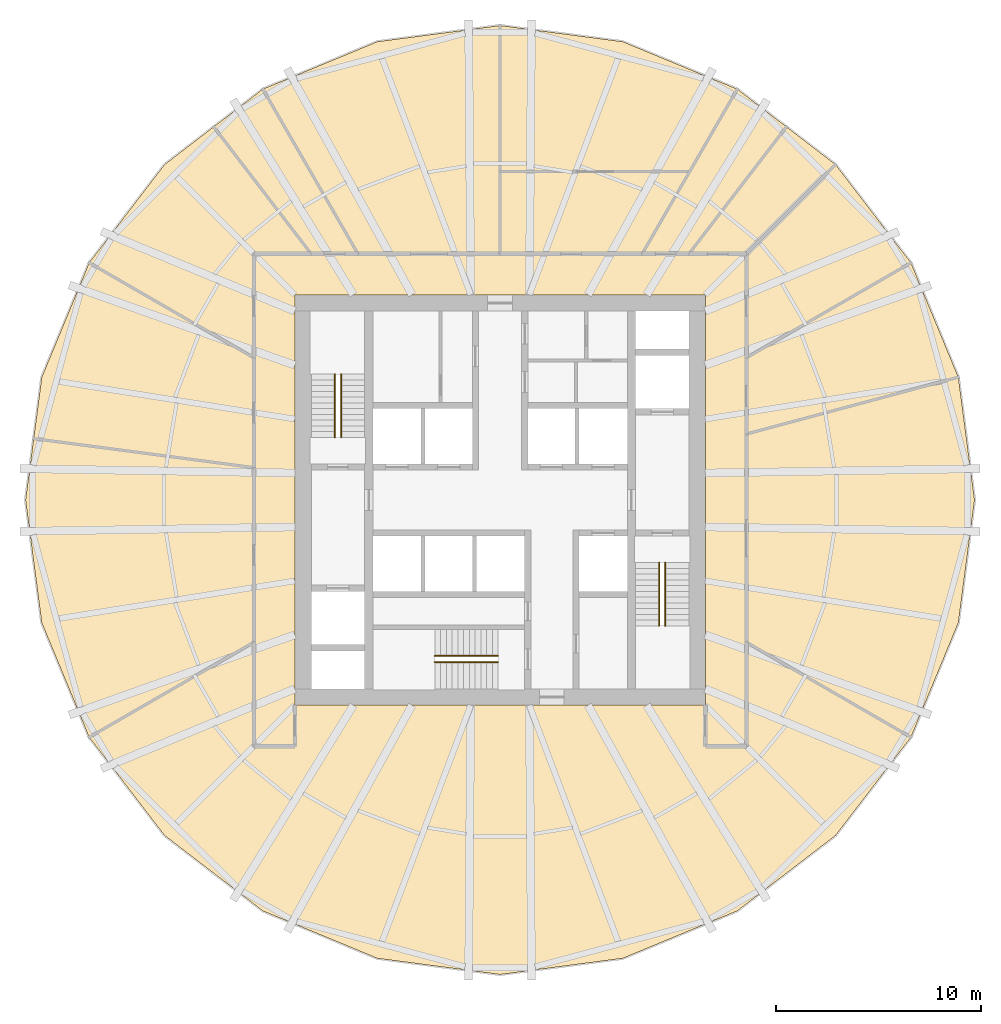
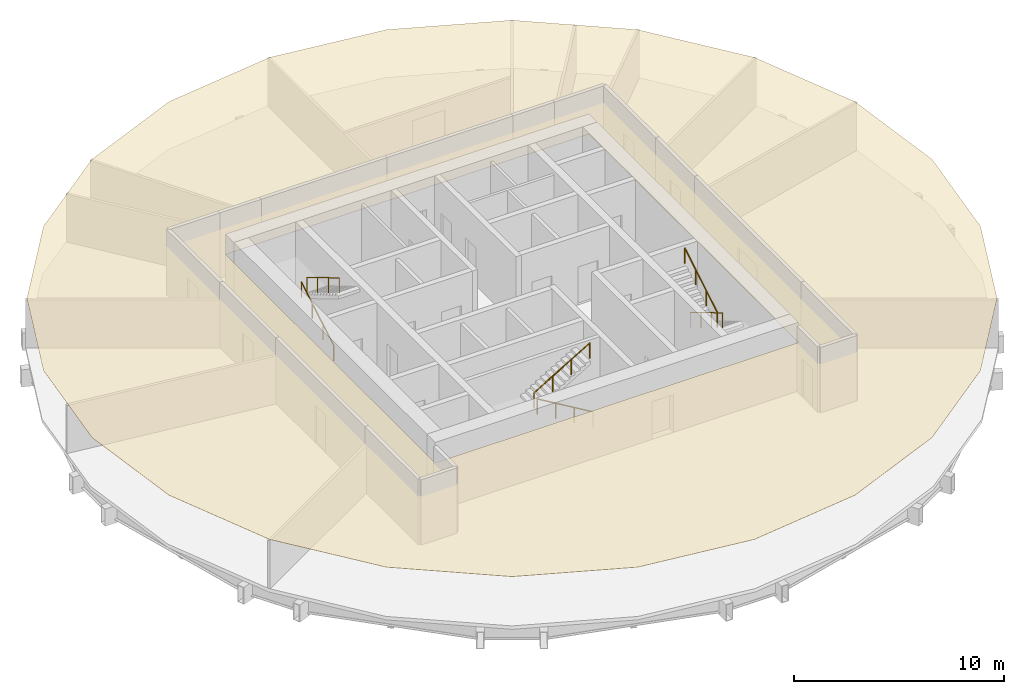
# One storey, part 6 of 6: 6 railings, 1 covering.
"""IFC4 building model written with IfcOpenShell, lengths in metres."""

from ifc_helpers import new_model, si_unit, direction, frame, origin, origin_2d, place, context, subcontext, project, spatial, polyline, circle, outline, extrude, material, layer, layer_set, type_object, element, save


model = new_model("IFC4")

# Units and contexts
model_context = context("Model", 3, precision=1e-05, world=origin(), true_north=direction((0.0, 1.0)))
body_context = subcontext(model_context, "Body", "Model", "MODEL_VIEW")
ifc_project = project(units=[si_unit("LENGTHUNIT", "METRE"), si_unit("AREAUNIT", "SQUARE_METRE"), si_unit("VOLUMEUNIT", "CUBIC_METRE"), si_unit("PLANEANGLEUNIT", "RADIAN"), si_unit("MASSUNIT", "GRAM", prefix="KILO")], contexts=[model_context])

# Site, building, storey
site_placement = place(None, origin())
site = spatial("IfcSite", under=ifc_project, at=site_placement, CompositionType="ELEMENT")
building_placement = place(site_placement, origin())
building = spatial("IfcBuilding", under=site, at=building_placement, Name="Golbaran Civic Tower", CompositionType="ELEMENT")
storey_placement = place(building_placement, frame((0.0, 0.0, 49.0)))
storey = spatial("IfcBuildingStorey", under=building, at=storey_placement, Name="L11", CompositionType="ELEMENT", Elevation=49.0)

# Railings
ifc_material_1 = material(Name="Stainless steel", Category="steel")
railing_type = type_object("IfcRailingType", Name="STAIR HANDRAIL 900", PredefinedType="HANDRAIL", material=ifc_material_1)
railing_1_placement = place(storey_placement, frame((-8.050048828125, 3.050048828125, 0.166748046875)))
element("IfcRailing", 1, at=railing_1_placement, inside=storey, type_object=railing_type, Name="Stair S1 handrail flight 1 L11", PredefinedType="HANDRAIL", context=body_context, shape_type="SweptSolid", body=[
    extrude(circle(Radius=0.02392578125, at=origin_2d()), frame((0.0, 0.0, 0.8759765625), z_axis=(0.0, 0.859290745958, 0.51148745235), x_axis=(-1.0, 0.0, 0.0)), (0.0, 0.0, 1.0), 3.584228515625),
    extrude(circle(Radius=0.02099609375, at=origin_2d()), origin(), (0.0, 0.0, 1.0), 0.851806640625),
    extrude(circle(Radius=0.02099609375, at=origin_2d()), frame((0.0, 1.026611328125, 0.611083984375)), (0.0, 0.0, 1.0), 0.851806640625),
    extrude(circle(Radius=0.02099609375, at=origin_2d()), frame((0.0, 2.05322265625, 1.22216796875)), (0.0, 0.0, 1.0), 0.851806640625),
    extrude(circle(Radius=0.02099609375, at=origin_2d()), frame((0.0, 3.079833984375, 1.833251953125)), (0.0, 0.0, 1.0), 0.851806640625),
])
for number, where, name in (
    (2, (-7.75, 6.1298828125, 2.166748046875), "Stair S1 handrail flight 2 L11"),
    (3, (8.050048828125, -3.050048828125, 0.166748046875), "Stair S2 handrail flight 1 L11"),
):
    element("IfcRailing", number, at=place(storey_placement, frame(where)), inside=storey, type_object=railing_type, Name=name, PredefinedType="HANDRAIL", context=body_context, shape_type="SweptSolid", body=[
        extrude(circle(Radius=0.02392578125, at=origin_2d()), frame((0.0, 0.0, 0.8759765625), z_axis=(0.0, -0.859290745958, 0.51148745235), x_axis=(1.0, 0.0, 0.0)), (0.0, 0.0, 1.0), 3.584228515625),
        extrude(circle(Radius=0.02099609375, at=origin_2d()), origin(), (0.0, 0.0, 1.0), 0.851806640625),
        extrude(circle(Radius=0.02099609375, at=origin_2d()), frame((0.0, -1.026611328125, 0.611083984375)), (0.0, 0.0, 1.0), 0.851806640625),
        extrude(circle(Radius=0.02099609375, at=origin_2d()), frame((0.0, -2.05322265625, 1.22216796875)), (0.0, 0.0, 1.0), 0.851806640625),
        extrude(circle(Radius=0.02099609375, at=origin_2d()), frame((0.0, -3.079833984375, 1.833251953125)), (0.0, 0.0, 1.0), 0.851806640625),
    ])
railing_2_placement = place(storey_placement, frame((7.75, -6.1298828125, 2.166748046875)))
element("IfcRailing", 4, at=railing_2_placement, inside=storey, type_object=railing_type, Name="Stair S2 handrail flight 2 L11", PredefinedType="HANDRAIL", context=body_context, shape_type="SweptSolid", body=[
    extrude(circle(Radius=0.02392578125, at=origin_2d()), frame((0.0, 0.0, 0.8759765625), z_axis=(0.0, 0.859290745958, 0.51148745235), x_axis=(-1.0, 0.0, 0.0)), (0.0, 0.0, 1.0), 3.584228515625),
    extrude(circle(Radius=0.02099609375, at=origin_2d()), origin(), (0.0, 0.0, 1.0), 0.851806640625),
    extrude(circle(Radius=0.02099609375, at=origin_2d()), frame((0.0, 1.026611328125, 0.611083984375)), (0.0, 0.0, 1.0), 0.851806640625),
    extrude(circle(Radius=0.02099609375, at=origin_2d()), frame((0.0, 2.05322265625, 1.22216796875)), (0.0, 0.0, 1.0), 0.851806640625),
    extrude(circle(Radius=0.02099609375, at=origin_2d()), frame((0.0, 3.079833984375, 1.833251953125)), (0.0, 0.0, 1.0), 0.851806640625),
])
railing_3_placement = place(storey_placement, frame((-0.10009765625, -7.89990234375, 0.166748046875)))
element("IfcRailing", 5, at=railing_3_placement, inside=storey, type_object=railing_type, Name="Stair S3 handrail flight 1 L11", PredefinedType="HANDRAIL", context=body_context, shape_type="SweptSolid", body=[
    extrude(circle(Radius=0.02392578125, at=origin_2d()), frame((0.0, 0.0, 0.8759765625), z_axis=(-0.859290745958, 0.0, 0.51148745235), x_axis=(0.0, -1.0, 0.0)), (0.0, 0.0, 1.0), 3.584228515625),
    extrude(circle(Radius=0.02099609375, at=origin_2d()), origin(), (0.0, 0.0, 1.0), 0.851806640625),
    extrude(circle(Radius=0.02099609375, at=origin_2d()), frame((-1.026611328125, 0.0, 0.611083984375)), (0.0, 0.0, 1.0), 0.851806640625),
    extrude(circle(Radius=0.02099609375, at=origin_2d()), frame((-2.05322265625, 0.0, 1.22216796875)), (0.0, 0.0, 1.0), 0.851806640625),
    extrude(circle(Radius=0.02099609375, at=origin_2d()), frame((-3.079833984375, 0.0, 1.833251953125)), (0.0, 0.0, 1.0), 0.851806640625),
])
railing_4_placement = place(storey_placement, frame((-3.179931640625, -7.60009765625, 2.166748046875)))
element("IfcRailing", 6, at=railing_4_placement, inside=storey, type_object=railing_type, Name="Stair S3 handrail flight 2 L11", PredefinedType="HANDRAIL", context=body_context, shape_type="SweptSolid", body=[
    extrude(circle(Radius=0.02392578125, at=origin_2d()), frame((0.0, 0.0, 0.8759765625), z_axis=(0.859290745958, 0.0, 0.51148745235), x_axis=(0.0, 1.0, 0.0)), (0.0, 0.0, 1.0), 3.584228515625),
    extrude(circle(Radius=0.02099609375, at=origin_2d()), origin(), (0.0, 0.0, 1.0), 0.851806640625),
    extrude(circle(Radius=0.02099609375, at=origin_2d()), frame((1.026611328125, 0.0, 0.611083984375)), (0.0, 0.0, 1.0), 0.851806640625),
    extrude(circle(Radius=0.02099609375, at=origin_2d()), frame((2.05322265625, 0.0, 1.22216796875)), (0.0, 0.0, 1.0), 0.851806640625),
    extrude(circle(Radius=0.02099609375, at=origin_2d()), frame((3.079833984375, 0.0, 1.833251953125)), (0.0, 0.0, 1.0), 0.851806640625),
])

# Covering
ifc_material_2 = material(Name="Mineral fibre tile on steel grid", Category="steel")
ifc_layer = layer(ifc_material_2, 0.02001953125, Name="Mineral fibre tile on steel grid")
ifc_layer_set = layer_set([ifc_layer], Name="Mineral fibre tile on steel grid")
covering_type = type_object("IfcCoveringType", Name="SUSPENDED CEILING 600 TILE 20", PredefinedType="CEILING", material=ifc_layer_set)
covering_placement = place(storey_placement, frame((0.0, 0.0, 2.800048828125)))
element("IfcCovering", 7, at=covering_placement, inside=storey, type_object=covering_type, Name="Suspended ceiling L11", PredefinedType="CEILING", context=body_context, shape_type="SweptSolid", body=[
    extrude(outline(polyline([(-20.0234375, 11.560546875), (-16.34912109375, 16.34912109375), (-11.560546875, 20.0234375), (-5.984130859375, 22.333251953125), (0.0, 23.12109375), (5.984130859375, 22.333251953125), (11.560546875, 20.0234375), (14.07373046875, 18.094970703125), (16.34912109375, 16.34912109375), (20.0234375, 11.560546875), (22.333251953125, 5.984130859375), (23.12109375, 0.0), (22.333251953125, -5.984130859375), (20.0234375, -11.560546875), (16.34912109375, -16.34912109375), (11.560546875, -20.0234375), (5.984130859375, -22.333251953125), (0.0, -23.12109375), (-5.984130859375, -22.333251953125), (-11.560546875, -20.0234375), (-16.34912109375, -16.34912109375), (-20.0234375, -11.560546875), (-22.333251953125, -5.984130859375), (-23.12109375, 0.0), (-22.333251953125, 5.984130859375), (-20.0234375, 11.560546875)]), holes=[polyline([(10.0, 10.0), (-10.0, 10.0), (-10.0, -10.0), (10.0, -10.0), (10.0, 10.0)])]), origin(), (0.0, 0.0, 1.0), 0.02001953125),
])

save(model, "model.ifc")
